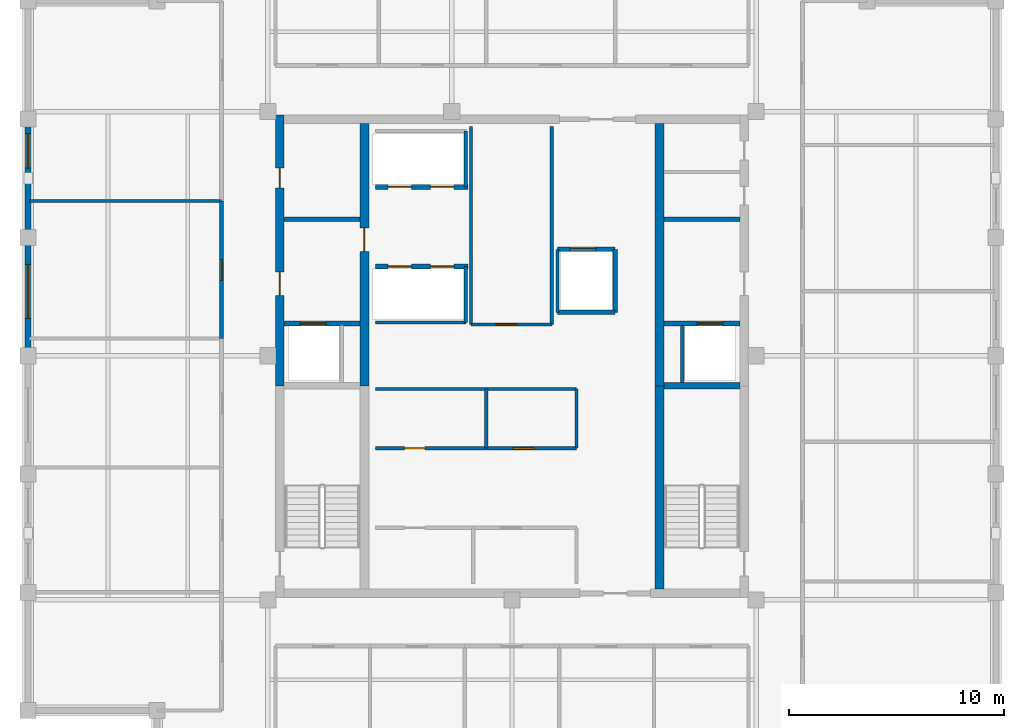
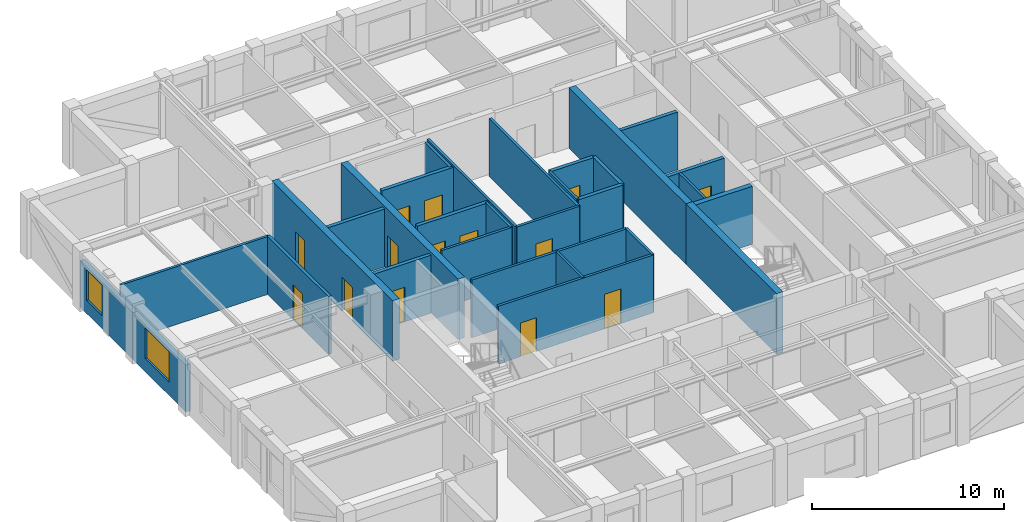
# One storey, part 3 of 6: 30 walls, 14 doors, 2 windows, 16 openings.
"""IFC4 building model written with IfcOpenShell, lengths in metres."""

from ifc_helpers import new_model, si_unit, direction, frame, frame_2d, origin, place, context, subcontext, project, spatial, rectangle, extrude, material, layer, layer_set, type_object, element, fill, save


model = new_model("IFC4")

# Units and contexts
model_context = context("Model", 3, precision=1e-05, world=origin(), true_north=direction((0.0, 1.0)))
body_context = subcontext(model_context, "Body", "Model", "MODEL_VIEW")
ifc_project = project(units=[si_unit("LENGTHUNIT", "METRE"), si_unit("AREAUNIT", "SQUARE_METRE"), si_unit("VOLUMEUNIT", "CUBIC_METRE"), si_unit("PLANEANGLEUNIT", "RADIAN"), si_unit("MASSUNIT", "GRAM", prefix="KILO")], contexts=[model_context])

# Site, building, storey
site_placement = place(None, origin())
site = spatial("IfcSite", under=ifc_project, at=site_placement, CompositionType="ELEMENT")
building_placement = place(site_placement, origin())
building = spatial("IfcBuilding", under=site, at=building_placement, Name="Nhamokura Convention Tower", CompositionType="ELEMENT")
storey_placement = place(building_placement, frame((0.0, 0.0, 289.10009765625)))
storey = spatial("IfcBuildingStorey", under=building, at=storey_placement, Name="L71", CompositionType="ELEMENT", Elevation=289.10009765625)

# Wall, opening, window
ifc_material_1 = material(Name="Bronze-pigmented precast concrete C45/55", Category="concrete")
ifc_layer_1 = layer(ifc_material_1, 0.280029296875)
ifc_layer_set_1 = layer_set([ifc_layer_1], Name="BronzePrecastSpandrel_280")
wall_type_1 = type_object("IfcWallType", Name="BronzePrecastSpandrel_280", PredefinedType="USERDEFINED", material=ifc_layer_set_1)
wall_1_placement = place(storey_placement, frame((9.5, 32.0, 0.0), z_axis=(0.0, 0.0, 1.0), x_axis=(0.0, 1.0, 0.0)))
wall_1 = element("IfcWall", 1, at=wall_1_placement, inside=storey, type_object=wall_type_1, Name="L71 Masonry-Frame Wall WEST 3", ObjectType="SPANDREL_WALL", PredefinedType="USERDEFINED", context=body_context, shape_type="SweptSolid", body=[
    extrude(rectangle(XDim=5.5, YDim=0.280029296875, at=frame_2d((2.75, 0.0))), origin(), (0.0, 0.0, 1.0), 2.98486328125),
])
opening_1_placement = place(wall_1_placement, frame((1.737548828125, 0.0, 0.85009765625)))
opening_1 = element("IfcOpeningElement", 2, at=opening_1_placement, cuts=wall_1, Name="Opening W-09", PredefinedType="OPENING", context=body_context, shape_type="SweptSolid", body=[
    extrude(rectangle(XDim=2.5, YDim=1.93505859375, at=frame_2d((1.25, 0.967529296875))), frame((0.0, 0.14990234375, 0.0), z_axis=(0.0, -1.0, 0.0), x_axis=(1.0, 0.0, 0.0)), (0.0, 0.0, 1.0), 0.300048828125),
])
ifc_material_2 = material(Name="Solar-control bronze low-E double glass", Category="glass")
window_type_1 = type_object("IfcWindowType", Name="SummitWindow_Z4_2500", PartitioningType="DOUBLE_PANEL_VERTICAL", PredefinedType="WINDOW", material=ifc_material_2)
window_1_placement = place(opening_1_placement, origin())
window_1 = element("IfcWindow", 3, at=window_1_placement, inside=storey, type_object=window_type_1, Name="L71 Facade Window WEST 3", OverallHeight=1.93505859375, OverallWidth=2.5, PartitioningType="SINGLE_PANEL", PredefinedType="WINDOW", context=body_context, shape_type="SweptSolid", body=[
    extrude(rectangle(XDim=2.5, YDim=1.93505859375, at=frame_2d((1.25, 0.967529296875))), frame((0.0, 0.030029296875, 0.0), z_axis=(0.0, -1.0, 0.0), x_axis=(1.0, 0.0, 0.0)), (0.0, 0.0, 1.0), 0.06005859375),
])
fill(opening_1, window_1)

wall_2_placement = place(storey_placement, frame((9.5, 37.5, 0.0), z_axis=(0.0, 0.0, 1.0), x_axis=(0.0, 1.0, 0.0)))
wall_2 = element("IfcWall", 4, at=wall_2_placement, inside=storey, type_object=wall_type_1, Name="L71 Masonry-Frame Wall WEST 4", ObjectType="SPANDREL_WALL", PredefinedType="USERDEFINED", context=body_context, shape_type="SweptSolid", body=[
    extrude(rectangle(XDim=5.5, YDim=0.280029296875, at=frame_2d((2.75, 0.0))), origin(), (0.0, 0.0, 1.0), 2.98486328125),
])
opening_2_placement = place(wall_2_placement, frame((3.22509765625, 0.0, 0.85009765625)))
opening_2 = element("IfcOpeningElement", 5, at=opening_2_placement, cuts=wall_2, Name="Opening W-11", PredefinedType="OPENING", context=body_context, shape_type="SweptSolid", body=[
    extrude(rectangle(XDim=1.60009765625, YDim=1.93505859375, at=frame_2d((0.800048828125, 0.967529296875))), frame((0.0, 0.14990234375, 0.0), z_axis=(0.0, -1.0, 0.0), x_axis=(1.0, 0.0, 0.0)), (0.0, 0.0, 1.0), 0.300048828125),
])
ifc_material_3 = material(Name="Solar-control bronze low-E double glass", Category="glass")
window_type_2 = type_object("IfcWindowType", Name="NotchCornerWindow_1600", PartitioningType="SINGLE_PANEL", PredefinedType="WINDOW", material=ifc_material_3)
window_2_placement = place(opening_2_placement, origin())
window_2 = element("IfcWindow", 6, at=window_2_placement, inside=storey, type_object=window_type_2, Name="L71 Facade Window WEST 4-3", OverallHeight=1.93505859375, OverallWidth=1.60009765625, PartitioningType="SINGLE_PANEL", PredefinedType="WINDOW", context=body_context, shape_type="SweptSolid", body=[
    extrude(rectangle(XDim=1.60009765625, YDim=1.93505859375, at=frame_2d((0.800048828125, 0.967529296875))), frame((0.0, 0.030029296875, 0.0), z_axis=(0.0, -1.0, 0.0), x_axis=(1.0, 0.0, 0.0)), (0.0, 0.0, 1.0), 0.06005859375),
])
fill(opening_2, window_2)

# Wall, openings, doors
ifc_material_4 = material(Name="Concrete C50/60", Category="concrete")
ifc_layer_2 = layer(ifc_material_4, 0.39990234375)
ifc_layer_set_2 = layer_set([ifc_layer_2], Name="CoreShearWall_400")
wall_type_2 = type_object("IfcWallType", Name="CoreShearWall_400", PredefinedType="SHEAR", material=ifc_layer_set_2)
wall_3_placement = place(storey_placement, frame((21.2099609375, 30.60009765625, 0.0), z_axis=(0.0, 0.0, 1.0), x_axis=(0.0, 1.0, 0.0)))
wall_3 = element("IfcWall", 7, at=wall_3_placement, inside=storey, type_object=wall_type_2, Name="L71 Core Shear Wall CW-WN", PredefinedType="SHEAR", context=body_context, shape_type="SweptSolid", body=[
    extrude(rectangle(XDim=12.599853515625, YDim=0.39990234375, at=frame_2d((6.2998046875, 0.0))), origin(), (0.0, 0.0, 1.0), 3.849853515625),
])
opening_3_placement = place(wall_3_placement, frame((4.199951171875, 0.0, 0.0)))
opening_3 = element("IfcOpeningElement", 8, at=opening_3_placement, cuts=wall_3, Name="Opening D-05", PredefinedType="OPENING", context=body_context, shape_type="SweptSolid", body=[
    extrude(rectangle(XDim=1.10009765625, YDim=2.14990234375, at=frame_2d((0.550048828125, 1.074951171875))), frame((0.0, 0.2099609375, 0.0), z_axis=(0.0, -1.0, 0.0), x_axis=(1.0, 0.0, 0.0)), (0.0, 0.0, 1.0), 0.419921875),
])
opening_4_placement = place(wall_3_placement, frame((9.199951171875, 0.0, 0.0)))
opening_4 = element("IfcOpeningElement", 9, at=opening_4_placement, cuts=wall_3, Name="Opening D-10", PredefinedType="OPENING", context=body_context, shape_type="SweptSolid", body=[
    extrude(rectangle(XDim=0.919921875, YDim=2.10009765625, at=frame_2d((0.4599609375, 1.050048828125))), frame((0.0, 0.2099609375, 0.0), z_axis=(0.0, -1.0, 0.0), x_axis=(1.0, 0.0, 0.0)), (0.0, 0.0, 1.0), 0.419921875),
])
ifc_material_5 = material(Name="Solid oak hardwood", Category="wood")
door_type_1 = type_object("IfcDoorType", Name="AccessibleWCDoor_920", OperationType="NOTDEFINED", PredefinedType="DOOR", material=ifc_material_5)
door_1_placement = place(opening_4_placement, origin())
door_1 = element("IfcDoor", 10, at=door_1_placement, inside=storey, type_object=door_type_1, Name="L71 Core Door INT-L71-D-AWC", OperationType="SINGLE_SWING_LEFT", OverallHeight=2.10009765625, OverallWidth=0.919921875, PredefinedType="DOOR", context=body_context, shape_type="SweptSolid", body=[
    extrude(rectangle(XDim=0.919921875, YDim=2.10009765625, at=frame_2d((0.4599609375, 1.050048828125))), frame((0.0, 0.02490234375, 0.0), z_axis=(0.0, -1.0, 0.0), x_axis=(1.0, 0.0, 0.0)), (0.0, 0.0, 1.0), 0.050048828125),
])
fill(opening_4, door_1)
ifc_material_6 = material(Name="Fire-rated steel door", Category="steel")
door_type_2 = type_object("IfcDoorType", Name="FireLobbyDoor_1100", OperationType="NOTDEFINED", PredefinedType="DOOR", material=ifc_material_6)
door_2_placement = place(opening_3_placement, origin())
door_2 = element("IfcDoor", 11, at=door_2_placement, inside=storey, type_object=door_type_2, Name="L71 Core Door INT-L71-D-FFLW", OperationType="SINGLE_SWING_RIGHT", OverallHeight=2.14990234375, OverallWidth=1.10009765625, PredefinedType="DOOR", context=body_context, shape_type="SweptSolid", body=[
    extrude(rectangle(XDim=1.10009765625, YDim=2.14990234375, at=frame_2d((0.550048828125, 1.074951171875))), frame((0.0, 0.02490234375, 0.0), z_axis=(0.0, -1.0, 0.0), x_axis=(1.0, 0.0, 0.0)), (0.0, 0.0, 1.0), 0.050048828125),
])
fill(opening_3, door_2)

# Wall, opening, door
wall_4_placement = place(storey_placement, frame((25.139892578125, 30.60009765625, 0.0), z_axis=(0.0, 0.0, 1.0), x_axis=(0.0, 1.0, 0.0)))
wall_4 = element("IfcWall", 12, at=wall_4_placement, inside=storey, type_object=wall_type_2, Name="L71 Core Shear Wall CW-IWN", PredefinedType="SHEAR", context=body_context, shape_type="SweptSolid", body=[
    extrude(rectangle(XDim=12.199951171875, YDim=0.39990234375, at=frame_2d((6.10009765625, 0.0))), origin(), (0.0, 0.0, 1.0), 3.849853515625),
])
opening_5_placement = place(wall_4_placement, frame((6.25, 0.0, 0.0)))
opening_5 = element("IfcOpeningElement", 13, at=opening_5_placement, cuts=wall_4, Name="Opening D-05", PredefinedType="OPENING", context=body_context, shape_type="SweptSolid", body=[
    extrude(rectangle(XDim=1.10009765625, YDim=2.14990234375, at=frame_2d((0.550048828125, 1.074951171875))), frame((0.0, 0.2099609375, 0.0), z_axis=(0.0, -1.0, 0.0), x_axis=(1.0, 0.0, 0.0)), (0.0, 0.0, 1.0), 0.419921875),
])
door_3_placement = place(opening_5_placement, origin())
door_3 = element("IfcDoor", 14, at=door_3_placement, inside=storey, type_object=door_type_2, Name="L71 Core Door INT-L71-D-B3LOB", OperationType="SINGLE_SWING_LEFT", OverallHeight=2.14990234375, OverallWidth=1.10009765625, PredefinedType="DOOR", context=body_context, shape_type="SweptSolid", body=[
    extrude(rectangle(XDim=1.10009765625, YDim=2.14990234375, at=frame_2d((0.550048828125, 1.074951171875))), frame((0.0, 0.02490234375, 0.0), z_axis=(0.0, -1.0, 0.0), x_axis=(1.0, 0.0, 0.0)), (0.0, 0.0, 1.0), 0.050048828125),
])
fill(opening_5, door_3)

# Walls
wall_5_placement = place(storey_placement, frame((38.860107421875, 21.14990234375, 0.0), z_axis=(0.0, 0.0, 1.0), x_axis=(0.0, 1.0, 0.0)))
element("IfcWall", 15, at=wall_5_placement, inside=storey, type_object=wall_type_2, Name="L71 Core Shear Wall CW-IES", PredefinedType="SHEAR", context=body_context, shape_type="SweptSolid", body=[
    extrude(rectangle(XDim=9.4501953125, YDim=0.39990234375, at=frame_2d((4.72509765625, 0.0))), origin(), (0.0, 0.0, 1.0), 3.849853515625),
])
wall_6_placement = place(storey_placement, frame((38.860107421875, 30.60009765625, 0.0), z_axis=(0.0, 0.0, 1.0), x_axis=(0.0, 1.0, 0.0)))
element("IfcWall", 16, at=wall_6_placement, inside=storey, type_object=wall_type_2, Name="L71 Core Shear Wall CW-IEN", PredefinedType="SHEAR", context=body_context, shape_type="SweptSolid", body=[
    extrude(rectangle(XDim=12.199951171875, YDim=0.39990234375, at=frame_2d((6.10009765625, 0.0))), origin(), (0.0, 0.0, 1.0), 3.849853515625),
])

# Wall, opening, door
ifc_material_7 = material(Name="Fire-rated gypsum and masonry partition", Category="masonry")
ifc_layer_3 = layer(ifc_material_7, 0.179931640625)
ifc_layer_set_3 = layer_set([ifc_layer_3], Name="CorridorRatedWall_180")
wall_type_3 = type_object("IfcWallType", Name="CorridorRatedWall_180", PredefinedType="STANDARD", material=ifc_layer_set_3)
wall_7_placement = place(storey_placement, frame((18.5, 32.800048828125, 0.0), z_axis=(0.0, 0.0, 1.0), x_axis=(0.0, 1.0, 0.0)))
wall_7 = element("IfcWall", 17, at=wall_7_placement, inside=storey, type_object=wall_type_3, Name="L71 Wall INT-L71-CW-W03", PredefinedType="STANDARD", context=body_context, shape_type="SweptSolid", body=[
    extrude(rectangle(XDim=6.39990234375, YDim=0.179931640625, at=frame_2d((3.199951171875, 0.0))), origin(), (0.0, 0.0, 1.0), 3.684814453125),
])
opening_6_placement = place(wall_7_placement, frame((2.699951171875, 0.0, 0.0)))
opening_6 = element("IfcOpeningElement", 18, at=opening_6_placement, cuts=wall_7, Name="Opening D-08", PredefinedType="OPENING", context=body_context, shape_type="SweptSolid", body=[
    extrude(rectangle(XDim=0.97998046875, YDim=2.199951171875, at=frame_2d((0.489990234375, 1.10009765625))), frame((0.0, 0.099853515625, 0.0), z_axis=(0.0, -1.0, 0.0), x_axis=(1.0, 0.0, 0.0)), (0.0, 0.0, 1.0), 0.199951171875),
])
ifc_material_8 = material(Name="Solid oak hardwood", Category="wood")
door_type_3 = type_object("IfcDoorType", Name="OfficeEntryDoor_980", OperationType="NOTDEFINED", PredefinedType="DOOR", material=ifc_material_8)
door_4_placement = place(opening_6_placement, origin())
door_4 = element("IfcDoor", 19, at=door_4_placement, inside=storey, type_object=door_type_3, Name="L71 Meeting Room W04 Door", OperationType="SINGLE_SWING_RIGHT", OverallHeight=2.199951171875, OverallWidth=0.97998046875, PredefinedType="DOOR", context=body_context, shape_type="SweptSolid", body=[
    extrude(rectangle(XDim=0.97998046875, YDim=2.199951171875, at=frame_2d((0.489990234375, 1.10009765625))), frame((0.0, 0.02490234375, 0.0), z_axis=(0.0, -1.0, 0.0), x_axis=(1.0, 0.0, 0.0)), (0.0, 0.0, 1.0), 0.050048828125),
])
fill(opening_6, door_4)

ifc_material_9 = material(Name="Autoclaved concrete blockwork", Category="masonry")
ifc_layer_4 = layer(ifc_material_9, 0.219970703125)
ifc_layer_set_4 = layer_set([ifc_layer_4], Name="FireLobbyWall_220")
wall_type_4 = type_object("IfcWallType", Name="FireLobbyWall_220", PredefinedType="STANDARD", material=ifc_layer_set_4)
wall_8_placement = place(storey_placement, frame((21.409912109375, 33.5, 0.0), z_axis=(0.0, 0.0, 1.0), x_axis=(1.0, 0.0, 0.0)))
wall_8 = element("IfcWall", 20, at=wall_8_placement, inside=storey, type_object=wall_type_4, Name="L71 Wall INT-L71-FFW-S", PredefinedType="STANDARD", context=body_context, shape_type="SweptSolid", body=[
    extrude(rectangle(XDim=3.530029296875, YDim=0.219970703125, at=frame_2d((1.76513671875, 0.0))), origin(), (0.0, 0.0, 1.0), 3.684814453125),
])
opening_7_placement = place(wall_8_placement, frame((0.75, 0.0, 0.0)))
opening_7 = element("IfcOpeningElement", 21, at=opening_7_placement, cuts=wall_8, Name="Opening LD-02", PredefinedType="OPENING", context=body_context, shape_type="SweptSolid", body=[
    extrude(rectangle(XDim=1.199951171875, YDim=2.199951171875, at=frame_2d((0.60009765625, 1.10009765625))), frame((0.0, 0.119873046875, 0.0), z_axis=(0.0, -1.0, 0.0), x_axis=(1.0, 0.0, 0.0)), (0.0, 0.0, 1.0), 0.239990234375),
])
ifc_material_10 = material(Name="Anodised bronze stainless steel", Category="steel")
door_type_4 = type_object("IfcDoorType", Name="LiftLandingDoor_FireService", OperationType="DOUBLE_DOOR_SLIDING", PredefinedType="DOOR", material=ifc_material_10)
door_5_placement = place(opening_7_placement, origin())
door_5 = element("IfcDoor", 22, at=door_5_placement, inside=storey, type_object=door_type_4, Name="L71 Firefighting Lift LF-01 Door", OperationType="DOUBLE_DOOR_SLIDING", OverallHeight=2.199951171875, OverallWidth=1.199951171875, PredefinedType="DOOR", context=body_context, shape_type="SweptSolid", body=[
    extrude(rectangle(XDim=1.199951171875, YDim=2.199951171875, at=frame_2d((0.60009765625, 1.10009765625))), frame((0.0, 0.02490234375, 0.0), z_axis=(0.0, -1.0, 0.0), x_axis=(1.0, 0.0, 0.0)), (0.0, 0.0, 1.0), 0.050048828125),
])
fill(opening_7, door_5)

wall_9_placement = place(storey_placement, frame((39.06005859375, 33.5, 0.0), z_axis=(0.0, 0.0, 1.0), x_axis=(1.0, 0.0, 0.0)))
wall_9 = element("IfcWall", 23, at=wall_9_placement, inside=storey, type_object=wall_type_4, Name="L71 Wall INT-L71-FFE-S", PredefinedType="STANDARD", context=body_context, shape_type="SweptSolid", body=[
    extrude(rectangle(XDim=3.530029296875, YDim=0.219970703125, at=frame_2d((1.76513671875, 0.0))), origin(), (0.0, 0.0, 1.0), 3.684814453125),
])
opening_8_placement = place(wall_9_placement, frame((1.550048828125, 0.0, 0.0)))
opening_8 = element("IfcOpeningElement", 24, at=opening_8_placement, cuts=wall_9, Name="Opening LD-02", PredefinedType="OPENING", context=body_context, shape_type="SweptSolid", body=[
    extrude(rectangle(XDim=1.199951171875, YDim=2.199951171875, at=frame_2d((0.60009765625, 1.10009765625))), frame((0.0, 0.119873046875, 0.0), z_axis=(0.0, -1.0, 0.0), x_axis=(1.0, 0.0, 0.0)), (0.0, 0.0, 1.0), 0.239990234375),
])
door_6_placement = place(opening_8_placement, origin())
door_6 = element("IfcDoor", 25, at=door_6_placement, inside=storey, type_object=door_type_4, Name="L71 Firefighting Lift LF-02 Door", OperationType="DOUBLE_DOOR_SLIDING", OverallHeight=2.199951171875, OverallWidth=1.199951171875, PredefinedType="DOOR", context=body_context, shape_type="SweptSolid", body=[
    extrude(rectangle(XDim=1.199951171875, YDim=2.199951171875, at=frame_2d((0.60009765625, 1.10009765625))), frame((0.0, 0.02490234375, 0.0), z_axis=(0.0, -1.0, 0.0), x_axis=(1.0, 0.0, 0.0)), (0.0, 0.0, 1.0), 0.050048828125),
])
fill(opening_8, door_6)

# Walls
for number, where, z_axis, x_axis, name in (
    (26, (21.409912109375, 38.35009765625, 0.0), (0.0, 0.0, 1.0), (1.0, 0.0, 0.0), "L71 Wall INT-L71-FFW-N"),
    (27, (39.06005859375, 38.35009765625, 0.0), (0.0, 0.0, 1.0), (1.0, 0.0, 0.0), "L71 Wall INT-L71-FFE-N"),
):
    element("IfcWall", number, at=place(storey_placement, frame(where, z_axis=z_axis, x_axis=x_axis)), inside=storey, type_object=wall_type_4, Name=name, PredefinedType="STANDARD", context=body_context, shape_type="SweptSolid", body=[
        extrude(rectangle(XDim=3.530029296875, YDim=0.219970703125, at=frame_2d((1.76513671875, 0.0))), origin(), (0.0, 0.0, 1.0), 3.684814453125),
    ])

# Wall, openings, doors
wall_10_placement = place(storey_placement, frame((25.64990234375, 36.14990234375, 0.0), z_axis=(0.0, 0.0, 1.0), x_axis=(1.0, 0.0, 0.0)))
wall_10 = element("IfcWall", 28, at=wall_10_placement, inside=storey, type_object=wall_type_4, Name="L71 Wall INT-L71-B3S", PredefinedType="STANDARD", context=body_context, shape_type="SweptSolid", body=[
    extrude(rectangle(XDim=4.300048828125, YDim=0.219970703125, at=frame_2d((2.14990234375, 0.0))), origin(), (0.0, 0.0, 1.0), 3.684814453125),
])
opening_9_placement = place(wall_10_placement, frame((0.580078125, 0.0, 0.0)))
opening_9 = element("IfcOpeningElement", 29, at=opening_9_placement, cuts=wall_10, Name="Opening LD-01", PredefinedType="OPENING", context=body_context, shape_type="SweptSolid", body=[
    extrude(rectangle(XDim=1.10009765625, YDim=2.14990234375, at=frame_2d((0.550048828125, 1.074951171875))), frame((0.0, 0.119873046875, 0.0), z_axis=(0.0, -1.0, 0.0), x_axis=(1.0, 0.0, 0.0)), (0.0, 0.0, 1.0), 0.239990234375),
])
opening_10_placement = place(wall_10_placement, frame((2.550048828125, 0.0, 0.0)))
opening_10 = element("IfcOpeningElement", 30, at=opening_10_placement, cuts=wall_10, Name="Opening LD-01", PredefinedType="OPENING", context=body_context, shape_type="SweptSolid", body=[
    extrude(rectangle(XDim=1.10009765625, YDim=2.14990234375, at=frame_2d((0.550048828125, 1.074951171875))), frame((0.0, 0.119873046875, 0.0), z_axis=(0.0, -1.0, 0.0), x_axis=(1.0, 0.0, 0.0)), (0.0, 0.0, 1.0), 0.239990234375),
])
ifc_material_11 = material(Name="Anodised bronze stainless steel", Category="steel")
door_type_5 = type_object("IfcDoorType", Name="LiftLandingDoor_Passenger", OperationType="DOUBLE_DOOR_SLIDING", PredefinedType="DOOR", material=ifc_material_11)
door_7_placement = place(opening_9_placement, origin())
door_7 = element("IfcDoor", 31, at=door_7_placement, inside=storey, type_object=door_type_5, Name="L71 Lift LP-09 Door", OperationType="DOUBLE_DOOR_SLIDING", OverallHeight=2.14990234375, OverallWidth=1.10009765625, PredefinedType="DOOR", context=body_context, shape_type="SweptSolid", body=[
    extrude(rectangle(XDim=1.10009765625, YDim=2.14990234375, at=frame_2d((0.550048828125, 1.074951171875))), frame((0.0, 0.02490234375, 0.0), z_axis=(0.0, -1.0, 0.0), x_axis=(1.0, 0.0, 0.0)), (0.0, 0.0, 1.0), 0.050048828125),
])
fill(opening_9, door_7)
door_8_placement = place(opening_10_placement, origin())
door_8 = element("IfcDoor", 32, at=door_8_placement, inside=storey, type_object=door_type_5, Name="L71 Lift LP-10 Door", OperationType="DOUBLE_DOOR_SLIDING", OverallHeight=2.14990234375, OverallWidth=1.10009765625, PredefinedType="DOOR", context=body_context, shape_type="SweptSolid", body=[
    extrude(rectangle(XDim=1.10009765625, YDim=2.14990234375, at=frame_2d((0.550048828125, 1.074951171875))), frame((0.0, 0.02490234375, 0.0), z_axis=(0.0, -1.0, 0.0), x_axis=(1.0, 0.0, 0.0)), (0.0, 0.0, 1.0), 0.050048828125),
])
fill(opening_10, door_8)

wall_11_placement = place(storey_placement, frame((25.64990234375, 39.85009765625, 0.0), z_axis=(0.0, 0.0, 1.0), x_axis=(1.0, 0.0, 0.0)))
wall_11 = element("IfcWall", 33, at=wall_11_placement, inside=storey, type_object=wall_type_4, Name="L71 Wall INT-L71-B3N", PredefinedType="STANDARD", context=body_context, shape_type="SweptSolid", body=[
    extrude(rectangle(XDim=4.300048828125, YDim=0.219970703125, at=frame_2d((2.14990234375, 0.0))), origin(), (0.0, 0.0, 1.0), 3.684814453125),
])
opening_11_placement = place(wall_11_placement, frame((0.580078125, 0.0, 0.0)))
opening_11 = element("IfcOpeningElement", 34, at=opening_11_placement, cuts=wall_11, Name="Opening LD-01", PredefinedType="OPENING", context=body_context, shape_type="SweptSolid", body=[
    extrude(rectangle(XDim=1.10009765625, YDim=2.14990234375, at=frame_2d((0.550048828125, 1.074951171875))), frame((0.0, 0.119873046875, 0.0), z_axis=(0.0, -1.0, 0.0), x_axis=(1.0, 0.0, 0.0)), (0.0, 0.0, 1.0), 0.239990234375),
])
opening_12_placement = place(wall_11_placement, frame((2.550048828125, 0.0, 0.0)))
opening_12 = element("IfcOpeningElement", 35, at=opening_12_placement, cuts=wall_11, Name="Opening LD-01", PredefinedType="OPENING", context=body_context, shape_type="SweptSolid", body=[
    extrude(rectangle(XDim=1.10009765625, YDim=2.14990234375, at=frame_2d((0.550048828125, 1.074951171875))), frame((0.0, 0.119873046875, 0.0), z_axis=(0.0, -1.0, 0.0), x_axis=(1.0, 0.0, 0.0)), (0.0, 0.0, 1.0), 0.239990234375),
])
door_9_placement = place(opening_11_placement, origin())
door_9 = element("IfcDoor", 36, at=door_9_placement, inside=storey, type_object=door_type_5, Name="L71 Lift LP-11 Door", OperationType="DOUBLE_DOOR_SLIDING", OverallHeight=2.14990234375, OverallWidth=1.10009765625, PredefinedType="DOOR", context=body_context, shape_type="SweptSolid", body=[
    extrude(rectangle(XDim=1.10009765625, YDim=2.14990234375, at=frame_2d((0.550048828125, 1.074951171875))), frame((0.0, 0.02490234375, 0.0), z_axis=(0.0, -1.0, 0.0), x_axis=(1.0, 0.0, 0.0)), (0.0, 0.0, 1.0), 0.050048828125),
])
fill(opening_11, door_9)
door_10_placement = place(opening_12_placement, origin())
door_10 = element("IfcDoor", 37, at=door_10_placement, inside=storey, type_object=door_type_5, Name="L71 Lift LP-12 Door", OperationType="DOUBLE_DOOR_SLIDING", OverallHeight=2.14990234375, OverallWidth=1.10009765625, PredefinedType="DOOR", context=body_context, shape_type="SweptSolid", body=[
    extrude(rectangle(XDim=1.10009765625, YDim=2.14990234375, at=frame_2d((0.550048828125, 1.074951171875))), frame((0.0, 0.02490234375, 0.0), z_axis=(0.0, -1.0, 0.0), x_axis=(1.0, 0.0, 0.0)), (0.0, 0.0, 1.0), 0.050048828125),
])
fill(opening_12, door_10)

# Wall, opening, door
wall_12_placement = place(storey_placement, frame((34.1201171875, 36.949951171875, 0.0), z_axis=(0.0, 0.0, 1.0), x_axis=(1.0, 0.0, 0.0)))
wall_12 = element("IfcWall", 38, at=wall_12_placement, inside=storey, type_object=wall_type_4, Name="L71 Wall INT-L71-LSN", PredefinedType="STANDARD", context=body_context, shape_type="SweptSolid", body=[
    extrude(rectangle(XDim=2.679931640625, YDim=0.219970703125, at=frame_2d((1.33984375, 0.0))), origin(), (0.0, 0.0, 1.0), 3.684814453125),
])
opening_13_placement = place(wall_12_placement, frame((0.580078125, 0.0, 0.0)))
opening_13 = element("IfcOpeningElement", 39, at=opening_13_placement, cuts=wall_12, Name="Opening LD-02", PredefinedType="OPENING", context=body_context, shape_type="SweptSolid", body=[
    extrude(rectangle(XDim=1.199951171875, YDim=2.199951171875, at=frame_2d((0.60009765625, 1.10009765625))), frame((0.0, 0.119873046875, 0.0), z_axis=(0.0, -1.0, 0.0), x_axis=(1.0, 0.0, 0.0)), (0.0, 0.0, 1.0), 0.239990234375),
])
door_11_placement = place(opening_13_placement, origin())
door_11 = element("IfcDoor", 40, at=door_11_placement, inside=storey, type_object=door_type_4, Name="L71 Service Lift LS-01 Door", OperationType="DOUBLE_DOOR_SLIDING", OverallHeight=2.199951171875, OverallWidth=1.199951171875, PredefinedType="DOOR", context=body_context, shape_type="SweptSolid", body=[
    extrude(rectangle(XDim=1.199951171875, YDim=2.199951171875, at=frame_2d((0.60009765625, 1.10009765625))), frame((0.0, 0.02490234375, 0.0), z_axis=(0.0, -1.0, 0.0), x_axis=(1.0, 0.0, 0.0)), (0.0, 0.0, 1.0), 0.050048828125),
])
fill(opening_13, door_11)

# Walls
wall_13_placement = place(storey_placement, frame((36.800048828125, 34.02001953125, 0.0), z_axis=(0.0, 0.0, 1.0), x_axis=(0.0, 1.0, 0.0)))
element("IfcWall", 41, at=wall_13_placement, inside=storey, type_object=wall_type_4, Name="L71 Wall INT-L71-LSE", PredefinedType="STANDARD", context=body_context, shape_type="SweptSolid", body=[
    extrude(rectangle(XDim=2.929931640625, YDim=0.219970703125, at=frame_2d((1.46484375, 0.0))), origin(), (0.0, 0.0, 1.0), 3.684814453125),
])
wall_14_placement = place(storey_placement, frame((34.1201171875, 34.02001953125, 0.0), z_axis=(0.0, 0.0, 1.0), x_axis=(1.0, 0.0, 0.0)))
element("IfcWall", 42, at=wall_14_placement, inside=storey, type_object=wall_type_4, Name="L71 Wall INT-L71-LSS", PredefinedType="STANDARD", context=body_context, shape_type="SweptSolid", body=[
    extrude(rectangle(XDim=2.679931640625, YDim=0.219970703125, at=frame_2d((1.33984375, 0.0))), origin(), (0.0, 0.0, 1.0), 3.684814453125),
])
ifc_material_12 = material(Name="Acoustic gypsum stud partition", Category="masonry")
ifc_layer_5 = layer(ifc_material_12, 0.14990234375)
ifc_layer_set_5 = layer_set([ifc_layer_5], Name="InteriorPartition_150")
wall_type_5 = type_object("IfcWallType", Name="InteriorPartition_150", PredefinedType="STANDARD", material=ifc_layer_set_5)
wall_15_placement = place(storey_placement, frame((39.919921875, 30.75, 0.0), z_axis=(0.0, 0.0, 1.0), x_axis=(0.0, 1.0, 0.0)))
element("IfcWall", 43, at=wall_15_placement, inside=storey, type_object=wall_type_5, Name="L71 Wall INT-L71-FF2-W", PredefinedType="STANDARD", context=body_context, shape_type="SweptSolid", body=[
    extrude(rectangle(XDim=2.64990234375, YDim=0.14990234375, at=frame_2d((1.324951171875, 0.0))), origin(), (0.0, 0.0, 1.0), 3.684814453125),
])

# Wall, openings, doors
wall_16_placement = place(storey_placement, frame((25.64990234375, 27.699951171875, 0.0), z_axis=(0.0, 0.0, 1.0), x_axis=(1.0, 0.0, 0.0)))
wall_16 = element("IfcWall", 44, at=wall_16_placement, inside=storey, type_object=wall_type_5, Name="L71 Wall INT-L71-B2R-S", PredefinedType="STANDARD", context=body_context, shape_type="SweptSolid", body=[
    extrude(rectangle(XDim=9.35009765625, YDim=0.14990234375, at=frame_2d((4.675048828125, 0.0))), origin(), (0.0, 0.0, 1.0), 3.684814453125),
])
opening_14_placement = place(wall_16_placement, frame((1.35009765625, 0.0, 0.0)))
opening_14 = element("IfcOpeningElement", 45, at=opening_14_placement, cuts=wall_16, Name="Opening D-09", PredefinedType="OPENING", context=body_context, shape_type="SweptSolid", body=[
    extrude(rectangle(XDim=0.949951171875, YDim=2.14990234375, at=frame_2d((0.47509765625, 1.074951171875))), frame((0.0, 0.0849609375, 0.0), z_axis=(0.0, -1.0, 0.0), x_axis=(1.0, 0.0, 0.0)), (0.0, 0.0, 1.0), 0.169921875),
])
opening_15_placement = place(wall_16_placement, frame((6.39990234375, 0.0, 0.0)))
opening_15 = element("IfcOpeningElement", 46, at=opening_15_placement, cuts=wall_16, Name="Opening D-08", PredefinedType="OPENING", context=body_context, shape_type="SweptSolid", body=[
    extrude(rectangle(XDim=0.97998046875, YDim=2.199951171875, at=frame_2d((0.489990234375, 1.10009765625))), frame((0.0, 0.0849609375, 0.0), z_axis=(0.0, -1.0, 0.0), x_axis=(1.0, 0.0, 0.0)), (0.0, 0.0, 1.0), 0.169921875),
])
ifc_material_13 = material(Name="Solid oak hardwood", Category="wood")
door_type_6 = type_object("IfcDoorType", Name="MeetingRoomDoor_950", OperationType="NOTDEFINED", PredefinedType="DOOR", material=ifc_material_13)
door_12_placement = place(opening_14_placement, origin())
door_12 = element("IfcDoor", 47, at=door_12_placement, inside=storey, type_object=door_type_6, Name="L71 Caucus Suite Door", OperationType="SINGLE_SWING_RIGHT", OverallHeight=2.14990234375, OverallWidth=0.949951171875, PredefinedType="DOOR", context=body_context, shape_type="SweptSolid", body=[
    extrude(rectangle(XDim=0.949951171875, YDim=2.14990234375, at=frame_2d((0.47509765625, 1.074951171875))), frame((0.0, 0.02490234375, 0.0), z_axis=(0.0, -1.0, 0.0), x_axis=(1.0, 0.0, 0.0)), (0.0, 0.0, 1.0), 0.050048828125),
])
fill(opening_14, door_12)
door_13_placement = place(opening_15_placement, origin())
door_13 = element("IfcDoor", 48, at=door_13_placement, inside=storey, type_object=door_type_3, Name="L71 Summit Pantry Door", OperationType="SINGLE_SWING_LEFT", OverallHeight=2.199951171875, OverallWidth=0.97998046875, PredefinedType="DOOR", context=body_context, shape_type="SweptSolid", body=[
    extrude(rectangle(XDim=0.97998046875, YDim=2.199951171875, at=frame_2d((0.489990234375, 1.10009765625))), frame((0.0, 0.02490234375, 0.0), z_axis=(0.0, -1.0, 0.0), x_axis=(1.0, 0.0, 0.0)), (0.0, 0.0, 1.0), 0.050048828125),
])
fill(opening_15, door_13)

# Walls
wall_17_placement = place(storey_placement, frame((25.64990234375, 30.449951171875, 0.0), z_axis=(0.0, 0.0, 1.0), x_axis=(1.0, 0.0, 0.0)))
element("IfcWall", 49, at=wall_17_placement, inside=storey, type_object=wall_type_5, Name="L71 Wall INT-L71-B2R-N", PredefinedType="STANDARD", context=body_context, shape_type="SweptSolid", body=[
    extrude(rectangle(XDim=9.35009765625, YDim=0.14990234375, at=frame_2d((4.675048828125, 0.0))), origin(), (0.0, 0.0, 1.0), 3.684814453125),
])
for number, where, z_axis, x_axis, name in (
    (50, (30.800048828125, 27.699951171875, 0.0), (0.0, 0.0, 1.0), (0.0, 1.0, 0.0), "L71 Wall INT-L71-B2R-M"),
    (51, (35.0, 27.699951171875, 0.0), (0.0, 0.0, 1.0), (0.0, 1.0, 0.0), "L71 Wall INT-L71-B2R-E"),
):
    element("IfcWall", number, at=place(storey_placement, frame(where, z_axis=z_axis, x_axis=x_axis)), inside=storey, type_object=wall_type_5, Name=name, PredefinedType="STANDARD", context=body_context, shape_type="SweptSolid", body=[
        extrude(rectangle(XDim=2.75, YDim=0.14990234375, at=frame_2d((1.375, 0.0))), origin(), (0.0, 0.0, 1.0), 3.684814453125),
    ])
wall_18_placement = place(storey_placement, frame((25.64990234375, 33.550048828125, 0.0), z_axis=(0.0, 0.0, 1.0), x_axis=(1.0, 0.0, 0.0)))
element("IfcWall", 52, at=wall_18_placement, inside=storey, type_object=wall_type_5, Name="L71 Wall INT-L71-B3A-S", PredefinedType="STANDARD", context=body_context, shape_type="SweptSolid", body=[
    extrude(rectangle(XDim=4.2001953125, YDim=0.14990234375, at=frame_2d((2.10009765625, 0.0))), origin(), (0.0, 0.0, 1.0), 3.684814453125),
])
for number, where, z_axis, x_axis, name in (
    (53, (29.85009765625, 33.550048828125, 0.0), (0.0, 0.0, 1.0), (0.0, 1.0, 0.0), "L71 Wall INT-L71-B3A-E"),
    (54, (29.85009765625, 39.85009765625, 0.0), (0.0, 0.0, 1.0), (0.0, 1.0, 0.0), "L71 Wall INT-L71-B3B-E"),
):
    element("IfcWall", number, at=place(storey_placement, frame(where, z_axis=z_axis, x_axis=x_axis)), inside=storey, type_object=wall_type_5, Name=name, PredefinedType="STANDARD", context=body_context, shape_type="SweptSolid", body=[
        extrude(rectangle(XDim=2.599853515625, YDim=0.14990234375, at=frame_2d((1.2998046875, 0.0))), origin(), (0.0, 0.0, 1.0), 3.684814453125),
    ])
for number, where, z_axis, x_axis, name in (
    (55, (30.10009765625, 33.449951171875, 0.0), (0.0, 0.0, 1.0), (0.0, 1.0, 0.0), "L71 Wall INT-L71-ST03W"),
    (56, (33.85009765625, 33.449951171875, 0.0), (0.0, 0.0, 1.0), (0.0, 1.0, 0.0), "L71 Wall INT-L71-ST03E"),
):
    element("IfcWall", number, at=place(storey_placement, frame(where, z_axis=z_axis, x_axis=x_axis)), inside=storey, type_object=wall_type_5, Name=name, PredefinedType="STANDARD", context=body_context, shape_type="SweptSolid", body=[
        extrude(rectangle(XDim=9.199951171875, YDim=0.14990234375, at=frame_2d((4.60009765625, 0.0))), origin(), (0.0, 0.0, 1.0), 3.684814453125),
    ])

# Wall, opening, door
wall_19_placement = place(storey_placement, frame((30.10009765625, 33.449951171875, 0.0), z_axis=(0.0, 0.0, 1.0), x_axis=(1.0, 0.0, 0.0)))
wall_19 = element("IfcWall", 57, at=wall_19_placement, inside=storey, type_object=wall_type_5, Name="L71 Wall INT-L71-ST03S", PredefinedType="STANDARD", context=body_context, shape_type="SweptSolid", body=[
    extrude(rectangle(XDim=3.75, YDim=0.14990234375, at=frame_2d((1.875, 0.0))), origin(), (0.0, 0.0, 1.0), 3.684814453125),
])
opening_16_placement = place(wall_19_placement, frame((1.14990234375, 0.0, 0.0)))
opening_16 = element("IfcOpeningElement", 58, at=opening_16_placement, cuts=wall_19, Name="Opening D-08", PredefinedType="OPENING", context=body_context, shape_type="SweptSolid", body=[
    extrude(rectangle(XDim=0.97998046875, YDim=2.199951171875, at=frame_2d((0.489990234375, 1.10009765625))), frame((0.0, 0.0849609375, 0.0), z_axis=(0.0, -1.0, 0.0), x_axis=(1.0, 0.0, 0.0)), (0.0, 0.0, 1.0), 0.169921875),
])
door_14_placement = place(opening_16_placement, origin())
door_14 = element("IfcDoor", 59, at=door_14_placement, inside=storey, type_object=door_type_3, Name="L71 Wellness and Records Room Door", OperationType="SINGLE_SWING_RIGHT", OverallHeight=2.199951171875, OverallWidth=0.97998046875, PredefinedType="DOOR", context=body_context, shape_type="SweptSolid", body=[
    extrude(rectangle(XDim=0.97998046875, YDim=2.199951171875, at=frame_2d((0.489990234375, 1.10009765625))), frame((0.0, 0.02490234375, 0.0), z_axis=(0.0, -1.0, 0.0), x_axis=(1.0, 0.0, 0.0)), (0.0, 0.0, 1.0), 0.050048828125),
])
fill(opening_16, door_14)

# Walls
wall_20_placement = place(storey_placement, frame((34.1201171875, 34.02001953125, 0.0), z_axis=(0.0, 0.0, 1.0), x_axis=(0.0, 1.0, 0.0)))
element("IfcWall", 60, at=wall_20_placement, inside=storey, type_object=wall_type_5, Name="L71 Wall INT-L71-LSW", PredefinedType="STANDARD", context=body_context, shape_type="SweptSolid", body=[
    extrude(rectangle(XDim=2.929931640625, YDim=0.14990234375, at=frame_2d((1.46484375, 0.0))), origin(), (0.0, 0.0, 1.0), 3.684814453125),
])
wall_21_placement = place(storey_placement, frame((9.56005859375, 39.199951171875, 0.0), z_axis=(0.0, 0.0, 1.0), x_axis=(1.0, 0.0, 0.0)))
element("IfcWall", 61, at=wall_21_placement, inside=storey, type_object=wall_type_5, Name="L71 Wall INT-L71-RW-W04", PredefinedType="STANDARD", context=body_context, shape_type="SweptSolid", body=[
    extrude(rectangle(XDim=8.93994140625, YDim=0.14990234375, at=frame_2d((4.469970703125, 0.0))), origin(), (0.0, 0.0, 1.0), 3.684814453125),
])
ifc_material_14 = material(Name="Concrete C50/60", Category="concrete")
ifc_layer_6 = layer(ifc_material_14, 0.300048828125)
ifc_layer_set_6 = layer_set([ifc_layer_6], Name="ShaftEnclosureWall_300")
wall_type_6 = type_object("IfcWallType", Name="ShaftEnclosureWall_300", PredefinedType="SHEAR", material=ifc_layer_set_6)
wall_22_placement = place(storey_placement, frame((39.06005859375, 30.60009765625, 0.0), z_axis=(0.0, 0.0, 1.0), x_axis=(1.0, 0.0, 0.0)))
element("IfcWall", 62, at=wall_22_placement, inside=storey, type_object=wall_type_6, Name="L71 Wall INT-L71-ST02-N", PredefinedType="SHEAR", context=body_context, shape_type="SweptSolid", body=[
    extrude(rectangle(XDim=3.530029296875, YDim=0.300048828125, at=frame_2d((1.76513671875, 0.0))), origin(), (0.0, 0.0, 1.0), 3.684814453125),
])

save(model, "model.ifc")
